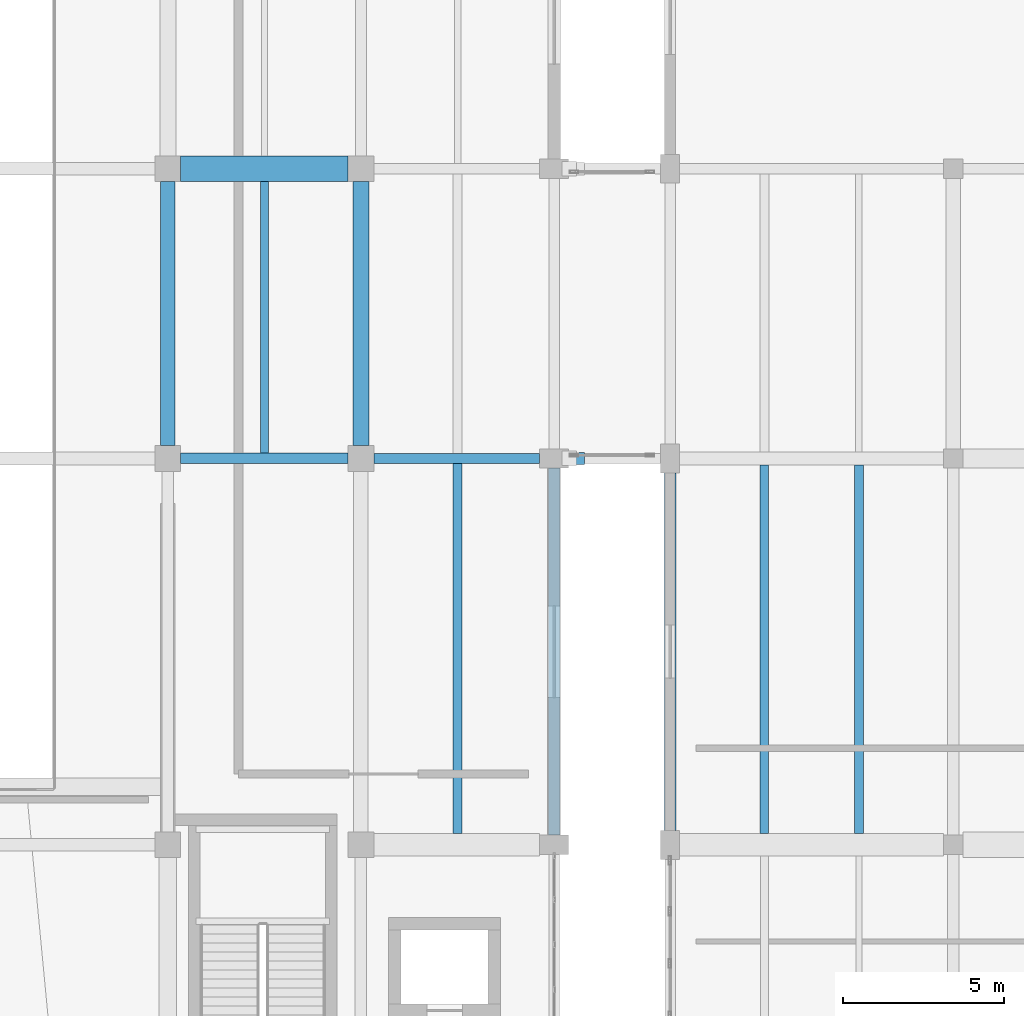
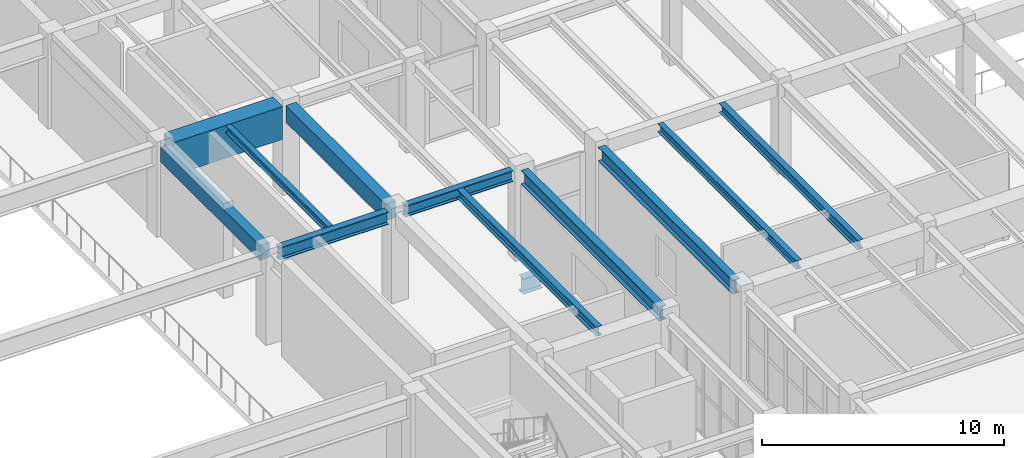
# One storey, part 32 of 96: 12 beams.
"""IFC4 building model written with IfcOpenShell, lengths in metres."""

from ifc_helpers import new_model, si_unit, direction, frame, origin, origin_2d, place, context, subcontext, project, spatial, rectangle, i_section, extrude, material, material_profile, profile_set, type_object, element, save


model = new_model("IFC4")

# Units and contexts
model_context = context("Model", 3, precision=1e-05, world=origin(), true_north=direction((0.0, 1.0)))
body_context = subcontext(model_context, "Body", "Model", "MODEL_VIEW")
ifc_project = project(units=[si_unit("LENGTHUNIT", "METRE"), si_unit("AREAUNIT", "SQUARE_METRE"), si_unit("VOLUMEUNIT", "CUBIC_METRE"), si_unit("PLANEANGLEUNIT", "RADIAN"), si_unit("MASSUNIT", "GRAM", prefix="KILO")], contexts=[model_context])

# Site, building, storey
site_placement = place(None, origin())
site = spatial("IfcSite", under=ifc_project, at=site_placement, CompositionType="ELEMENT")
building_placement = place(site_placement, origin())
building = spatial("IfcBuilding", under=site, at=building_placement, Name="Vaelkrest Opera House", CompositionType="ELEMENT")
storey_placement = place(building_placement, frame((0.0, 0.0, 5.39990234375)))
storey = spatial("IfcBuildingStorey", under=building, at=storey_placement, Name="L01", CompositionType="ELEMENT", Elevation=5.39990234375)

# Beams
ifc_material_1 = material(Name="Concrete C50/60", Category="concrete")
ifc_material_profile_1 = material_profile(ifc_material_1, rectangle(XDim=0.449951171875, YDim=0.75, at=origin_2d()), Name="RCB450X750")
ifc_profile_set_1 = profile_set([ifc_material_profile_1], Name="Concrete C50/60")
beam_type_1 = type_object("IfcBeamType", Name="B02", PredefinedType="BEAM", material=ifc_profile_set_1)
beam_1_placement = place(storey_placement, frame((18.0, -7.39990234375, 4.125), z_axis=(0.0, 1.0, 0.0), x_axis=(-1.0, 0.0, 0.0)))
element("IfcBeam", 1, at=beam_1_placement, inside=storey, type_object=beam_type_1, Name="Beam BM-V1-L01-0283", PredefinedType="BEAM", context=body_context, shape_type="SweptSolid", body=[
    extrude(rectangle(XDim=0.449951171875, YDim=0.75, at=origin_2d()), origin(), (0.0, 0.0, 1.0), 8.199951171875),
])
ifc_material_profile_2 = material_profile(ifc_material_1, rectangle(XDim=0.5, YDim=0.85009765625, at=origin_2d()), Name="RCB500X850")
ifc_profile_set_2 = profile_set([ifc_material_profile_2], Name="Concrete C50/60")
beam_type_2 = type_object("IfcBeamType", Name="B03", PredefinedType="BEAM", material=ifc_profile_set_2)
beam_2_placement = place(storey_placement, frame((24.0, -7.39990234375, 4.0751953125), z_axis=(0.0, 1.0, 0.0), x_axis=(-1.0, 0.0, 0.0)))
element("IfcBeam", 2, at=beam_2_placement, inside=storey, type_object=beam_type_2, Name="Beam BM-V1-L01-0288", PredefinedType="BEAM", context=body_context, shape_type="SweptSolid", body=[
    extrude(rectangle(XDim=0.5, YDim=0.85009765625, at=origin_2d()), origin(), (0.0, 0.0, 1.0), 8.199951171875),
])
ifc_material_profile_3 = material_profile(ifc_material_1, rectangle(XDim=0.800048828125, YDim=1.64990234375, at=origin_2d()), Name="RCB800X1650")
ifc_profile_set_3 = profile_set([ifc_material_profile_3], Name="Concrete C50/60")
beam_type_3 = type_object("IfcBeamType", Name="B07", PredefinedType="BEAM", material=ifc_profile_set_3)
beam_3_placement = place(storey_placement, frame((18.39990234375, 1.199951171875, 3.675048828125), z_axis=(1.0, 0.0, 0.0), x_axis=(0.0, 1.0, 0.0)))
element("IfcBeam", 3, at=beam_3_placement, inside=storey, type_object=beam_type_3, Name="Beam BM-V1-L01-0240", PredefinedType="BEAM", context=body_context, shape_type="SweptSolid", body=[
    extrude(rectangle(XDim=0.800048828125, YDim=1.64990234375, at=origin_2d()), origin(), (0.0, 0.0, 1.0), 5.2001953125),
])
ifc_material_2 = material(Name="Steel A992 Gr50", Category="steel")
ifc_material_profile_4 = material_profile(ifc_material_2, i_section(OverallWidth=0.326904296875, OverallDepth=0.6220703125, WebThickness=0.015380859375, FlangeThickness=0.0244140625, at=origin_2d()), Name="W24X131")
ifc_profile_set_4 = profile_set([ifc_material_profile_4], Name="Steel A992 Gr50")
beam_type_4 = type_object("IfcBeamType", Name="B19", PredefinedType="BEAM", material=ifc_profile_set_4)
beam_4_placement = place(storey_placement, frame((18.39990234375, -7.800048828125, 4.189208984375), z_axis=(1.0, 0.0, 0.0), x_axis=(0.0, 1.0, 0.0)))
element("IfcBeam", 4, at=beam_4_placement, inside=storey, type_object=beam_type_4, Name="Beam BM-V1-L01-0235", PredefinedType="BEAM", context=body_context, shape_type="SweptSolid", body=[
    extrude(i_section(OverallWidth=0.326904296875, OverallDepth=0.6220703125, WebThickness=0.015380859375, FlangeThickness=0.0244140625, at=origin_2d()), origin(), (0.0, 0.0, 1.0), 5.2001953125),
])
ifc_material_profile_5 = material_profile(ifc_material_2, i_section(OverallWidth=0.31494140625, OverallDepth=0.551025390625, WebThickness=0.01513671875, FlangeThickness=0.0244140625, at=origin_2d()), Name="W21X122")
ifc_profile_set_5 = profile_set([ifc_material_profile_5], Name="Steel A992 Gr50")
beam_type_5 = type_object("IfcBeamType", Name="B20", PredefinedType="BEAM", material=ifc_profile_set_5)
beam_5_placement = place(storey_placement, frame((24.39990234375, -7.800048828125, 4.224609375), z_axis=(1.0, 0.0, 0.0), x_axis=(0.0, 1.0, 0.0)))
element("IfcBeam", 5, at=beam_5_placement, inside=storey, type_object=beam_type_5, Name="Beam BM-V1-L01-0236", PredefinedType="BEAM", context=body_context, shape_type="SweptSolid", body=[
    extrude(i_section(OverallWidth=0.31494140625, OverallDepth=0.551025390625, WebThickness=0.01513671875, FlangeThickness=0.0244140625, at=origin_2d()), origin(), (0.0, 0.0, 1.0), 5.150146484375),
])
ifc_material_profile_6 = material_profile(ifc_material_2, i_section(OverallWidth=0.257080078125, OverallDepth=0.363037109375, WebThickness=0.012939453125, FlangeThickness=0.021728515625, at=origin_2d()), Name="W14X82")
ifc_profile_set_6 = profile_set([ifc_material_profile_6], Name="Steel A992 Gr50")
beam_type_6 = type_object("IfcBeamType", Name="J06", PredefinedType="JOIST", material=ifc_profile_set_6)
beam_6_placement = place(storey_placement, frame((21.0, -7.636474609375, 4.318603515625), z_axis=(0.0, 1.0, 0.0), x_axis=(-1.0, 0.0, 0.0)))
element("IfcBeam", 6, at=beam_6_placement, inside=storey, type_object=beam_type_6, Name="Floor joist JST-V1-L01-0306", PredefinedType="JOIST", context=body_context, shape_type="SweptSolid", body=[
    extrude(i_section(OverallWidth=0.257080078125, OverallDepth=0.363037109375, WebThickness=0.012939453125, FlangeThickness=0.021728515625, at=origin_2d()), origin(), (0.0, 0.0, 1.0), 8.4365234375),
])
ifc_material_profile_7 = material_profile(ifc_material_2, i_section(OverallWidth=0.261962890625, OverallDepth=0.4189453125, WebThickness=0.01171875, FlangeThickness=0.019287109375, at=origin_2d()), Name="W16X77")
ifc_profile_set_7 = profile_set([ifc_material_profile_7], Name="Steel A992 Gr50")
beam_type_7 = type_object("IfcBeamType", Name="J08", PredefinedType="JOIST", material=ifc_profile_set_7)
beam_7_placement = place(storey_placement, frame((36.532958984375, -19.449951171875, 4.29052734375), z_axis=(0.0, 1.0, 0.0), x_axis=(-1.0, 0.0, 0.0)))
element("IfcBeam", 7, at=beam_7_placement, inside=storey, type_object=beam_type_7, Name="Floor joist JST-V4-L01-2218", PredefinedType="JOIST", context=body_context, shape_type="SweptSolid", body=[
    extrude(i_section(OverallWidth=0.261962890625, OverallDepth=0.4189453125, WebThickness=0.01171875, FlangeThickness=0.019287109375, at=origin_2d()), origin(), (0.0, 0.0, 1.0), 11.449951171875),
])
ifc_material_profile_8 = material_profile(ifc_material_2, i_section(OverallWidth=0.280029296875, OverallDepth=0.462890625, WebThickness=0.0107421875, FlangeThickness=0.017333984375, at=origin_2d()), Name="W18X76")
ifc_profile_set_8 = profile_set([ifc_material_profile_8], Name="Steel A992 Gr50")
beam_type_8 = type_object("IfcBeamType", Name="J09", PredefinedType="JOIST", material=ifc_profile_set_8)
beam_8_placement = place(storey_placement, frame((27.0, -19.449951171875, 4.2685546875), z_axis=(0.0, 1.0, 0.0), x_axis=(-1.0, 0.0, 0.0)))
element("IfcBeam", 8, at=beam_8_placement, inside=storey, type_object=beam_type_8, Name="Floor joist JST-V1-L01-0309", PredefinedType="JOIST", context=body_context, shape_type="SweptSolid", body=[
    extrude(i_section(OverallWidth=0.280029296875, OverallDepth=0.462890625, WebThickness=0.0107421875, FlangeThickness=0.017333984375, at=origin_2d()), origin(), (0.0, 0.0, 1.0), 11.492431640625),
])
beam_9_placement = place(storey_placement, frame((39.467041015625, -19.449951171875, 4.2685546875), z_axis=(0.0, 1.0, 0.0), x_axis=(-1.0, 0.0, 0.0)))
element("IfcBeam", 9, at=beam_9_placement, inside=storey, type_object=beam_type_8, Name="Floor joist JST-V4-L01-2219", PredefinedType="JOIST", context=body_context, shape_type="SweptSolid", body=[
    extrude(i_section(OverallWidth=0.280029296875, OverallDepth=0.462890625, WebThickness=0.0107421875, FlangeThickness=0.017333984375, at=origin_2d()), origin(), (0.0, 0.0, 1.0), 11.449951171875),
])
ifc_material_profile_9 = material_profile(ifc_material_2, i_section(OverallWidth=0.35498046875, OverallDepth=0.695068359375, WebThickness=0.015380859375, FlangeThickness=0.02490234375, at=origin_2d()), Name="W27X146")
ifc_profile_set_9 = profile_set([ifc_material_profile_9], Name="Steel A992 Gr50")
beam_type_9 = type_object("IfcBeamType", Name="SP02", PredefinedType="SPANDREL", material=ifc_profile_set_9)
beam_10_placement = place(storey_placement, frame((30.0, -19.5, 4.152587890625), z_axis=(0.0, 1.0, 0.0), x_axis=(-1.0, 0.0, 0.0)))
element("IfcBeam", 10, at=beam_10_placement, inside=storey, type_object=beam_type_9, Name="Beam BM-V1-L01-0295", PredefinedType="SPANDREL", context=body_context, shape_type="SweptSolid", body=[
    extrude(i_section(OverallWidth=0.35498046875, OverallDepth=0.695068359375, WebThickness=0.015380859375, FlangeThickness=0.02490234375, at=origin_2d()), origin(), (0.0, 0.0, 1.0), 11.39990234375),
])
beam_11_placement = place(storey_placement, frame((33.60009765625, -19.35009765625, 4.152587890625), z_axis=(0.0, 1.0, 0.0), x_axis=(-1.0, 0.0, 0.0)))
element("IfcBeam", 11, at=beam_11_placement, inside=storey, type_object=beam_type_9, Name="Beam BM-V4-L01-2166", PredefinedType="SPANDREL", context=body_context, shape_type="SweptSolid", body=[
    extrude(i_section(OverallWidth=0.35498046875, OverallDepth=0.695068359375, WebThickness=0.015380859375, FlangeThickness=0.02490234375, at=origin_2d()), origin(), (0.0, 0.0, 1.0), 11.10009765625),
])
ifc_material_profile_10 = material_profile(ifc_material_2, i_section(OverallWidth=0.381103515625, OverallDepth=0.77294921875, WebThickness=0.0166015625, FlangeThickness=0.027099609375, at=origin_2d()), Name="W30X173")
ifc_profile_set_10 = profile_set([ifc_material_profile_10], Name="Steel A992 Gr50")
beam_type_10 = type_object("IfcBeamType", Name="SP03", PredefinedType="SPANDREL", material=ifc_profile_set_10)
beam_12_placement = place(storey_placement, frame((30.0, -7.800048828125, -1.5), z_axis=(1.0, 0.0, 0.0), x_axis=(0.0, 1.0, 0.0)))
element("IfcBeam", 12, at=beam_12_placement, inside=storey, type_object=beam_type_10, Name="Seismic bridge 950mm RC corbel seat BR-E-L01 S", PredefinedType="SPANDREL", context=body_context, shape_type="SweptSolid", body=[
    extrude(i_section(OverallWidth=0.381103515625, OverallDepth=0.77294921875, WebThickness=0.0166015625, FlangeThickness=0.027099609375, at=origin_2d()), origin(), (0.0, 0.0, 1.0), 0.949951171875),
])

save(model, "model.ifc")
